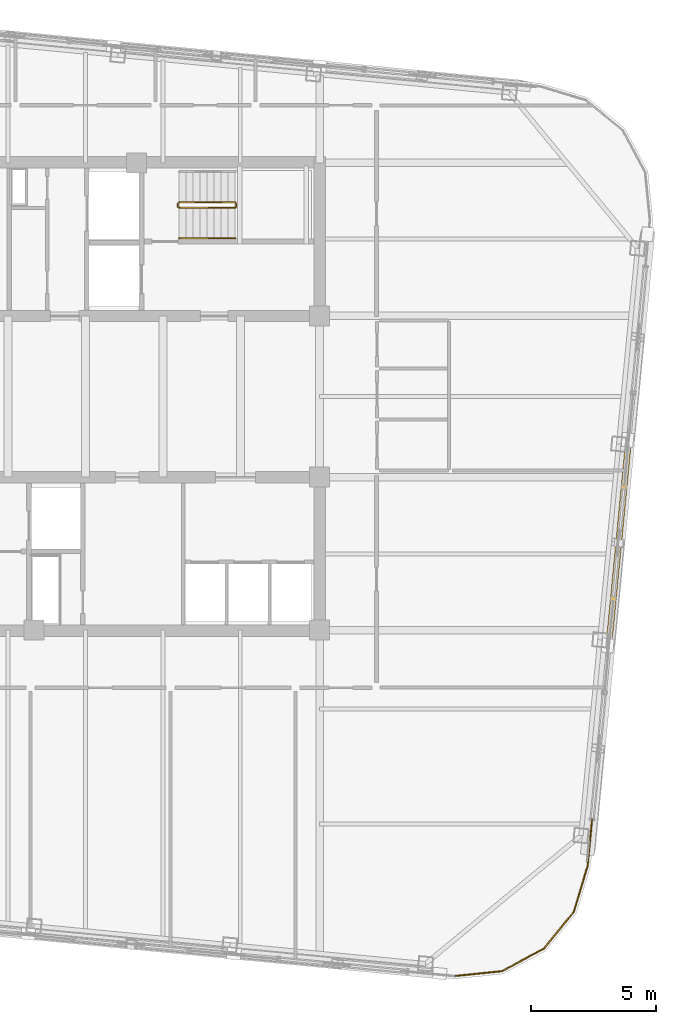
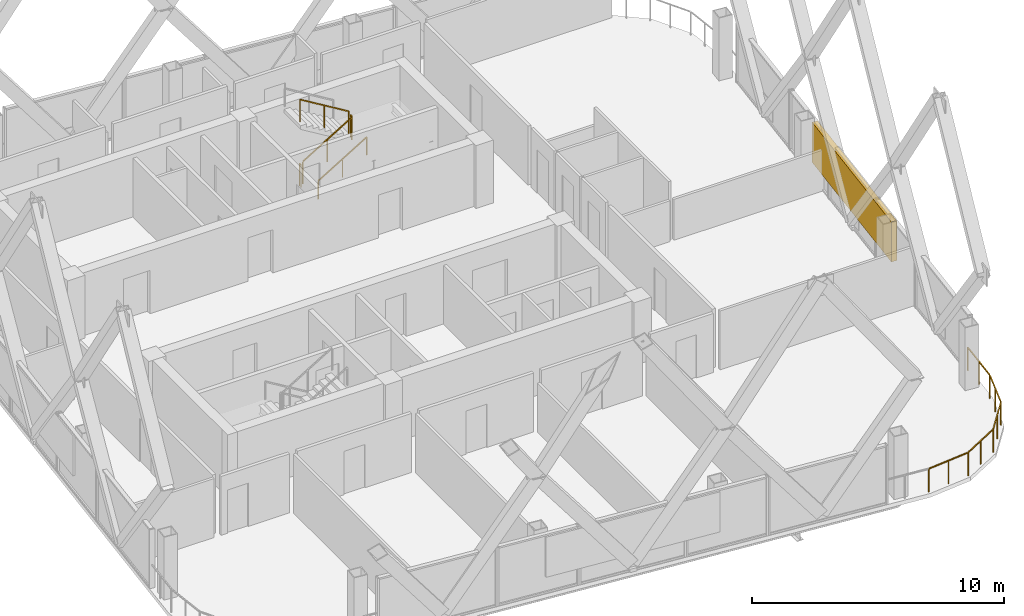
# One storey, part 24 of 25: 6 railings, 1 shading device.
"""IFC4 building model written with IfcOpenShell, lengths in metres."""

from ifc_helpers import new_model, si_unit, direction, frame, origin, origin_2d, place, context, subcontext, project, spatial, rectangle, extrude, material, type_object, element, save


model = new_model("IFC4")

# Units and contexts
model_context = context("Model", 3, precision=1e-05, world=origin(), true_north=direction((0.0, 1.0)))
body_context = subcontext(model_context, "Body", "Model", "MODEL_VIEW")
ifc_project = project(units=[si_unit("LENGTHUNIT", "METRE"), si_unit("AREAUNIT", "SQUARE_METRE"), si_unit("VOLUMEUNIT", "CUBIC_METRE"), si_unit("PLANEANGLEUNIT", "RADIAN"), si_unit("MASSUNIT", "GRAM", prefix="KILO")], contexts=[model_context])

# Site, building, storey
site_placement = place(None, origin())
site = spatial("IfcSite", under=ifc_project, at=site_placement, CompositionType="ELEMENT")
building_placement = place(site_placement, origin())
building = spatial("IfcBuilding", under=site, at=building_placement, Name="Qhalaya Broadcast Tower", CompositionType="ELEMENT")
storey_placement = place(building_placement, frame((0.0, 0.0, 255.050048828125)))
storey = spatial("IfcBuildingStorey", under=building, at=storey_placement, Name="L75", CompositionType="ELEMENT", Elevation=255.050048828125)

# Railings
ifc_material_1 = material(Name="Powder-Coated Galvanised Steel", Category="steel")
railing_type_1 = type_object("IfcRailingType", Name="Stair Wall Handrail 900", PredefinedType="HANDRAIL", material=ifc_material_1)
railing_1_placement = place(storey_placement, frame((3.75, 6.929931640625, 0.16943359375)))
element("IfcRailing", 1, at=railing_1_placement, inside=storey, type_object=railing_type_1, Name="L75 ST-1 Stair Handrail 1", PredefinedType="HANDRAIL", context=body_context, shape_type="SweptSolid", body=[
    extrude(rectangle(XDim=0.048095703125, YDim=0.048095703125, at=origin_2d()), frame((0.0, 0.0, 0.8759765625), z_axis=(0.855553338991, 0.0, 0.51771467445), x_axis=(0.0, 1.0, 0.0)), (0.0, 0.0, 1.0), 2.6181640625),
    extrude(rectangle(XDim=0.0419921875, YDim=0.0419921875, at=origin_2d()), origin(), (0.0, 0.0, 1.0), 0.849853515625),
    extrude(rectangle(XDim=0.0419921875, YDim=0.0419921875, at=origin_2d()), frame((1.1201171875, 0.0, 0.677734375)), (0.0, 0.0, 1.0), 0.849853515625),
    extrude(rectangle(XDim=0.0419921875, YDim=0.0419921875, at=origin_2d()), frame((2.239990234375, 0.0, 1.35546875)), (0.0, 0.0, 1.0), 0.849853515625),
])
railing_type_2 = type_object("IfcRailingType", Name="Stair Well & Landing Guardrail 1100", PredefinedType="GUARDRAIL", material=ifc_material_1)
railing_2_placement = place(storey_placement, frame((3.75, 8.14990234375, 0.16943359375)))
element("IfcRailing", 2, at=railing_2_placement, inside=storey, type_object=railing_type_2, Name="L75 ST-1 Stair Guard 1", PredefinedType="GUARDRAIL", context=body_context, shape_type="SweptSolid", body=[
    extrude(rectangle(XDim=0.048095703125, YDim=0.048095703125, at=origin_2d()), frame((0.0, 0.0, 1.076171875), z_axis=(0.855553338991, 0.0, 0.51771467445), x_axis=(0.0, 1.0, 0.0)), (0.0, 0.0, 1.0), 2.6181640625),
    extrude(rectangle(XDim=0.0419921875, YDim=0.0419921875, at=origin_2d()), origin(), (0.0, 0.0, 1.0), 1.050048828125),
    extrude(rectangle(XDim=0.0419921875, YDim=0.0419921875, at=origin_2d()), frame((1.1201171875, 0.0, 0.677734375)), (0.0, 0.0, 1.0), 1.050048828125),
    extrude(rectangle(XDim=0.0419921875, YDim=0.0419921875, at=origin_2d()), frame((2.239990234375, 0.0, 1.35546875)), (0.0, 0.0, 1.0), 1.050048828125),
])
railing_3_placement = place(storey_placement, frame((6.0400390625, 8.199951171875, 1.52490234375)))
element("IfcRailing", 3, at=railing_3_placement, inside=storey, type_object=railing_type_2, Name="L75 ST-1 Stair Guard 2", PredefinedType="GUARDRAIL", context=body_context, shape_type="SweptSolid", body=[
    extrude(rectangle(XDim=0.048095703125, YDim=0.048095703125, at=origin_2d()), frame((0.0, 0.0, 1.076171875), z_axis=(0.0, 1.0, 0.0), x_axis=(-1.0, 0.0, 0.0)), (0.0, 0.0, 1.0), 0.1201171875),
    extrude(rectangle(XDim=0.0419921875, YDim=0.0419921875, at=origin_2d()), origin(), (0.0, 0.0, 1.0), 1.050048828125),
    extrude(rectangle(XDim=0.0419921875, YDim=0.0419921875, at=origin_2d()), frame((0.0, 0.1201171875, 0.0)), (0.0, 0.0, 1.0), 1.050048828125),
])
railing_4_placement = place(storey_placement, frame((5.989990234375, 8.3701171875, 1.6943359375)))
element("IfcRailing", 4, at=railing_4_placement, inside=storey, type_object=railing_type_2, Name="L75 ST-1 Stair Guard 3", PredefinedType="GUARDRAIL", context=body_context, shape_type="SweptSolid", body=[
    extrude(rectangle(XDim=0.048095703125, YDim=0.048095703125, at=origin_2d()), frame((0.0, 0.0, 1.076171875), z_axis=(-0.855512035549, 0.0, 0.517782924622), x_axis=(0.0, -1.0, 0.0)), (0.0, 0.0, 1.0), 2.618408203125),
    extrude(rectangle(XDim=0.0419921875, YDim=0.0419921875, at=origin_2d()), origin(), (0.0, 0.0, 1.0), 1.050048828125),
    extrude(rectangle(XDim=0.0419921875, YDim=0.0419921875, at=origin_2d()), frame((-1.1201171875, 0.0, 0.677734375)), (0.0, 0.0, 1.0), 1.050048828125),
    extrude(rectangle(XDim=0.0419921875, YDim=0.0419921875, at=origin_2d()), frame((-2.239990234375, 0.0, 1.355712890625)), (0.0, 0.0, 1.0), 1.050048828125),
])
railing_5_placement = place(storey_placement, frame((3.699951171875, 8.199951171875, 0.0)))
element("IfcRailing", 5, at=railing_5_placement, inside=storey, type_object=railing_type_2, Name="L75 ST-1 Stair Guard 4", PredefinedType="GUARDRAIL", context=body_context, shape_type="SweptSolid", body=[
    extrude(rectangle(XDim=0.048095703125, YDim=0.048095703125, at=origin_2d()), frame((0.0, 0.0, 1.076171875), z_axis=(0.0, 1.0, 0.0), x_axis=(-1.0, 0.0, 0.0)), (0.0, 0.0, 1.0), 0.1201171875),
    extrude(rectangle(XDim=0.0419921875, YDim=0.0419921875, at=origin_2d()), origin(), (0.0, 0.0, 1.0), 1.050048828125),
    extrude(rectangle(XDim=0.0419921875, YDim=0.0419921875, at=origin_2d()), frame((0.0, 0.1201171875, 0.0)), (0.0, 0.0, 1.0), 1.050048828125),
])
railing_type_3 = type_object("IfcRailingType", Name="Terrace, Sky-Pool & Lookout Glass Balustrade 1150", PredefinedType="BALUSTRADE", material=ifc_material_1)
railing_6_placement = place(storey_placement, frame((20.2958984375, -16.07373046875, 0.0)))
element("IfcRailing", 6, at=railing_6_placement, inside=storey, type_object=railing_type_3, Name="L75 Rounded Corner Perimeter Guard 05", PredefinedType="BALUSTRADE", context=body_context, shape_type="SweptSolid", body=[
    extrude(rectangle(XDim=0.048095703125, YDim=0.048095703125, at=origin_2d()), frame((0.0, 0.0, 1.1259765625), z_axis=(-0.095896889673, -0.995391273094, 0.0), x_axis=(0.995391273094, -0.095896889673, 0.0)), (0.0, 0.0, 1.0), 2.08935546875),
    extrude(rectangle(XDim=0.048095703125, YDim=0.048095703125, at=origin_2d()), frame((-0.21142578125, -2.135986328125, 1.1259765625), z_axis=(-0.288096282124, -0.957601447485, 0.0), x_axis=(0.957601447485, -0.288096282124, 0.0)), (0.0, 0.0, 1.0), 1.857421875),
    extrude(rectangle(XDim=0.048095703125, YDim=0.048095703125, at=origin_2d()), frame((-0.773193359375, -3.96484375, 1.1259765625), z_axis=(-0.63274871945, -0.774357190213, 0.0), x_axis=(0.774357190213, -0.63274871945, 0.0)), (0.0, 0.0, 1.0), 1.845703125),
    extrude(rectangle(XDim=0.048095703125, YDim=0.048095703125, at=origin_2d()), frame((-1.984619140625, -5.429931640625, 1.1259765625), z_axis=(-0.880932037714, -0.473242797018, 0.0), x_axis=(0.473242797018, -0.880932037714, 0.0)), (0.0, 0.0, 1.0), 1.845458984375),
    extrude(rectangle(XDim=0.048095703125, YDim=0.048095703125, at=origin_2d()), frame((-3.66455078125, -6.31982421875, 1.1259765625), z_axis=(-0.994967529225, -0.100197883148, 0.0), x_axis=(0.100197883148, -0.994967529225, 0.0)), (0.0, 0.0, 1.0), 1.88623046875),
    extrude(rectangle(XDim=0.0419921875, YDim=0.0419921875, at=origin_2d()), origin(), (0.0, 0.0, 1.0), 1.099853515625),
    extrude(rectangle(XDim=0.0419921875, YDim=0.0419921875, at=origin_2d()), frame((-0.1015625, -1.05419921875, 0.0)), (0.0, 0.0, 1.0), 1.099853515625),
    extrude(rectangle(XDim=0.0419921875, YDim=0.0419921875, at=origin_2d()), frame((-0.203125, -2.1083984375, 0.0)), (0.0, 0.0, 1.0), 1.099853515625),
    extrude(rectangle(XDim=0.0419921875, YDim=0.0419921875, at=origin_2d()), frame((-0.47900390625, -3.025390625, 0.0)), (0.0, 0.0, 1.0), 1.099853515625),
    extrude(rectangle(XDim=0.0419921875, YDim=0.0419921875, at=origin_2d()), frame((-0.7548828125, -3.9423828125, 0.0)), (0.0, 0.0, 1.0), 1.099853515625),
    extrude(rectangle(XDim=0.0419921875, YDim=0.0419921875, at=origin_2d()), frame((-1.35693359375, -4.67919921875, 0.0)), (0.0, 0.0, 1.0), 1.099853515625),
    extrude(rectangle(XDim=0.0419921875, YDim=0.0419921875, at=origin_2d()), frame((-1.959228515625, -5.416259765625, 0.0)), (0.0, 0.0, 1.0), 1.099853515625),
    extrude(rectangle(XDim=0.0419921875, YDim=0.0419921875, at=origin_2d()), frame((-2.79736328125, -5.86669921875, 0.0)), (0.0, 0.0, 1.0), 1.099853515625),
    extrude(rectangle(XDim=0.0419921875, YDim=0.0419921875, at=origin_2d()), frame((-3.6357421875, -6.31689453125, 0.0)), (0.0, 0.0, 1.0), 1.099853515625),
    extrude(rectangle(XDim=0.0419921875, YDim=0.0419921875, at=origin_2d()), frame((-4.58837890625, -6.412841796875, 0.0)), (0.0, 0.0, 1.0), 1.099853515625),
    extrude(rectangle(XDim=0.0419921875, YDim=0.0419921875, at=origin_2d()), frame((-5.541259765625, -6.5087890625, 0.0)), (0.0, 0.0, 1.0), 1.099853515625),
])

# Shading device
ifc_material_2 = material(Name="Fired Architectural Terracotta", Category="masonry")
shading_device_type = type_object("IfcShadingDeviceType", Name="Terracotta Baguette Solar Screen Assembly TBS-01", PredefinedType="USERDEFINED", material=ifc_material_2)
shading_device_placement = place(storey_placement, frame((21.337646484375, -5.25390625, 0.80078125), z_axis=(0.0, 0.0, 1.0), x_axis=(0.09584575252, 0.995396198367, 0.0)))
element("IfcShadingDevice", 7, at=shading_device_placement, inside=storey, type_object=shading_device_type, Name="L75 Fired Terracotta Baguette Screen E", ObjectType="BAGUETTE", PredefinedType="USERDEFINED", context=body_context, shape_type="SweptSolid", body=[
    extrude(rectangle(XDim=7.60009765625, YDim=0.239990234375, at=origin_2d()), origin(), (0.0, 0.0, 1.0), 1.945068359375),
])

save(model, "model.ifc")
